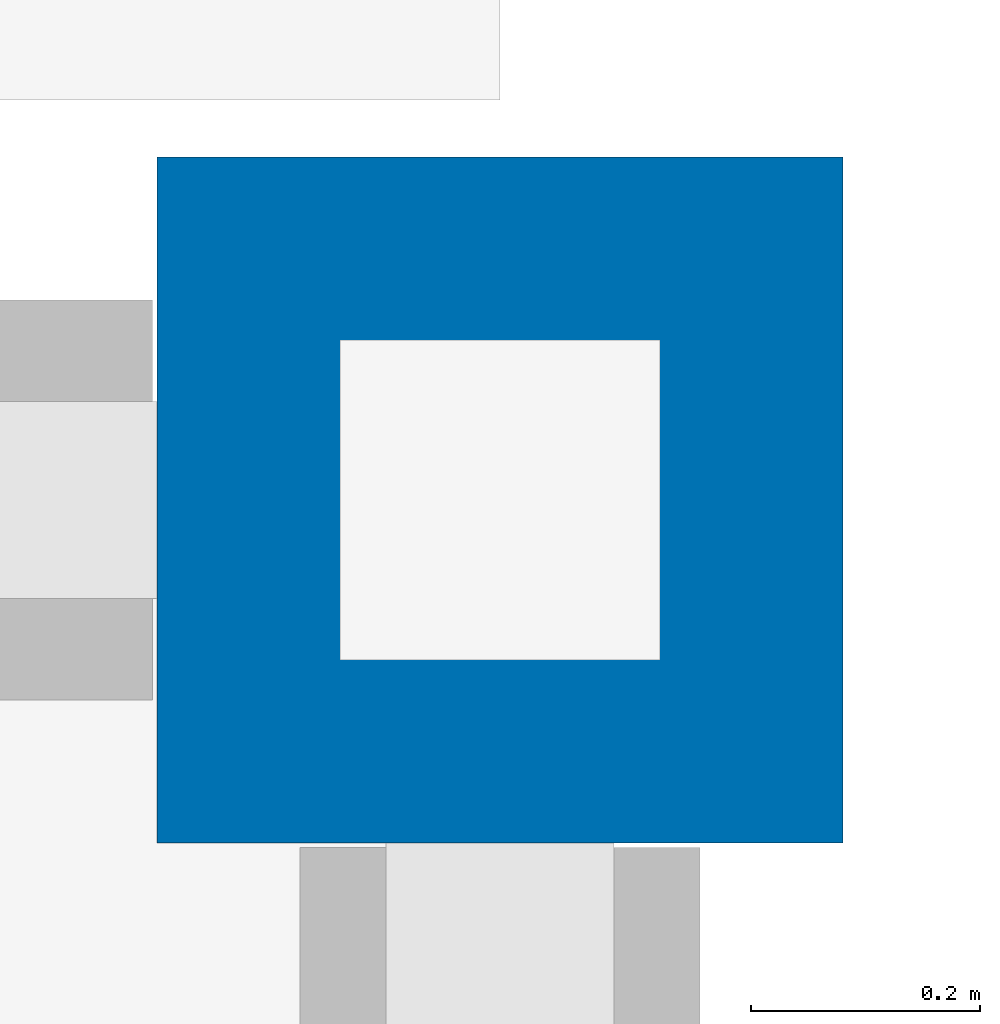
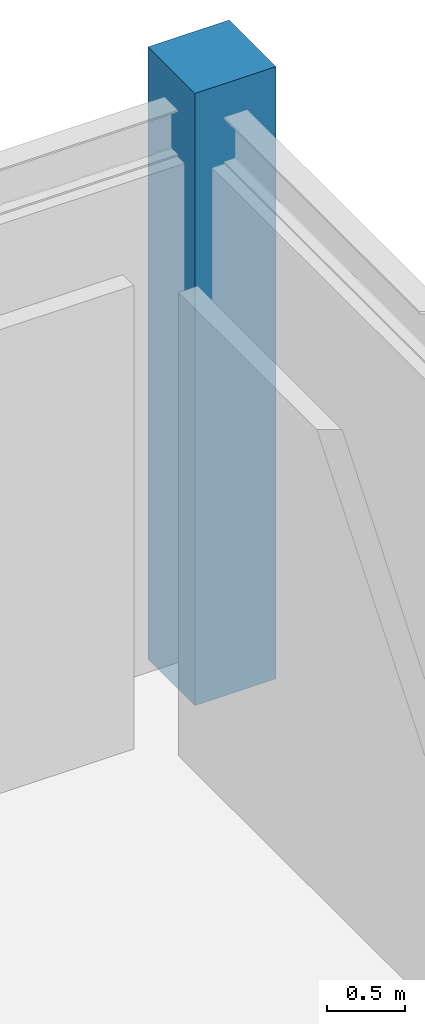
# One storey, part 46 of 119: 1 column.
"""IFC4 building model written with IfcOpenShell, lengths in metres."""

from ifc_helpers import new_model, si_unit, derived_unit, direction, frame, origin, origin_2d_with_axis, place, context, subcontext, project, spatial, rectangle, extrude, material, material_profile, profile_set, type_object, element, save


model = new_model("IFC4")

# Units and contexts
model_context = context("Model", 3, precision=1e-05, world=origin(), true_north=direction((0.0, 1.0)))
body_context = subcontext(model_context, "Body", "Model", "MODEL_VIEW")
ifc_project = project(units=[si_unit("LENGTHUNIT", "METRE"), si_unit("AREAUNIT", "SQUARE_METRE"), si_unit("VOLUMEUNIT", "CUBIC_METRE"), si_unit("PLANEANGLEUNIT", "RADIAN"), si_unit("MASSUNIT", "GRAM", prefix="KILO"), derived_unit("THERMALTRANSMITTANCEUNIT", [(si_unit("POWERUNIT", "WATT"), 1), (si_unit("LENGTHUNIT", "METRE"), -2), (si_unit("THERMODYNAMICTEMPERATUREUNIT", "KELVIN"), -1)])], contexts=[model_context])

# Site, building, storey
site_placement = place(None, origin())
site = spatial("IfcSite", under=ifc_project, at=site_placement, CompositionType="ELEMENT")
building_placement = place(site_placement, origin())
building = spatial("IfcBuilding", under=site, at=building_placement, Name="Cinnabar Yard Market Hall", CompositionType="ELEMENT")
storey_placement = place(building_placement, origin())
storey = spatial("IfcBuildingStorey", under=building, at=storey_placement, Name="L00", CompositionType="ELEMENT", Elevation=0.0)

# Column
ifc_material = material(Name="Concrete 40 MPa", Category="concrete")
ifc_material_profile = material_profile(ifc_material, rectangle(XDim=0.60009765625, YDim=0.60009765625, at=origin_2d_with_axis()), Name="RC-600x600")
ifc_profile_set = profile_set([ifc_material_profile], Name="Concrete 40 MPa")
column_type = type_object("IfcColumnType", Name="COL-RC2E", PredefinedType="COLUMN", material=ifc_profile_set)
column_placement = place(storey_placement, frame((162.0, 138.0, -0.280029296875), z_axis=(0.0, 0.0, 1.0), x_axis=(1.0, 0.0, 0.0)))
element("IfcColumn", 1, at=column_placement, inside=storey, type_object=column_type, Name="Wing Column V3-11-05 L00", PredefinedType="COLUMN", context=body_context, shape_type="SweptSolid", body=[
    extrude(rectangle(XDim=0.60009765625, YDim=0.60009765625, at=origin_2d_with_axis()), origin(), (0.0, 0.0, 1.0), 4.780029296875),
])

save(model, "model.ifc")
